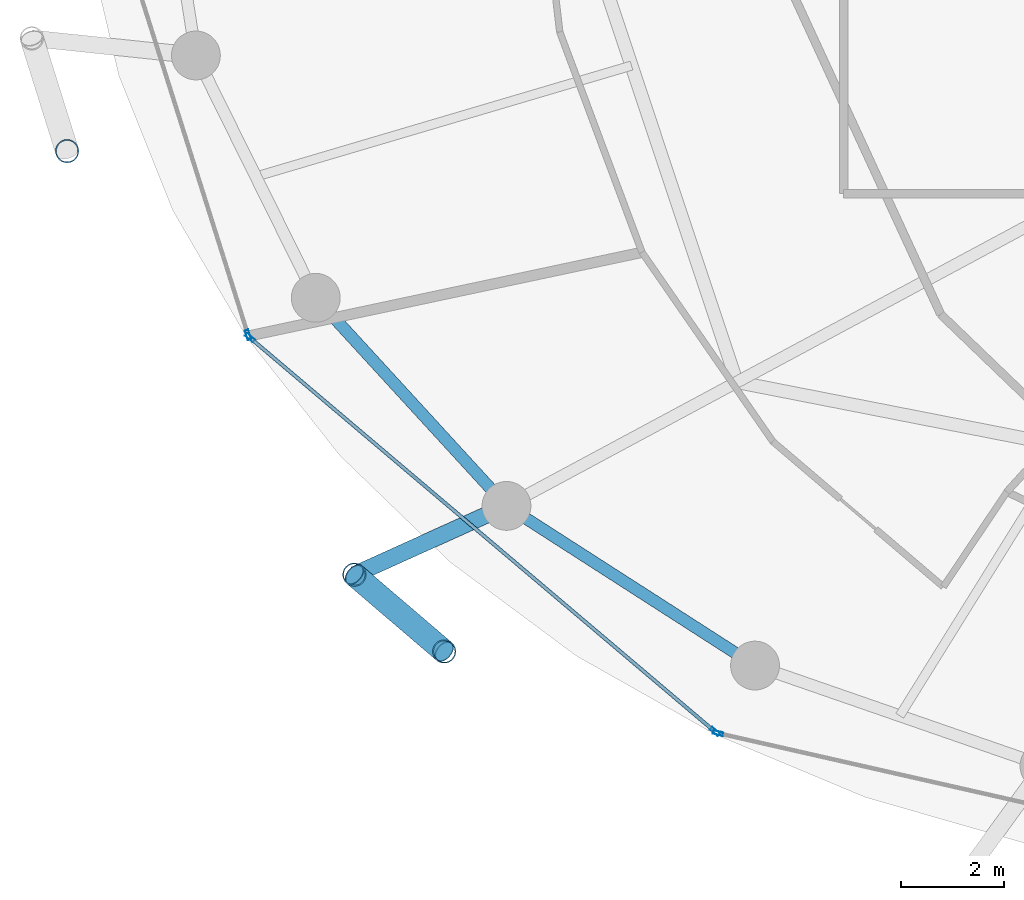
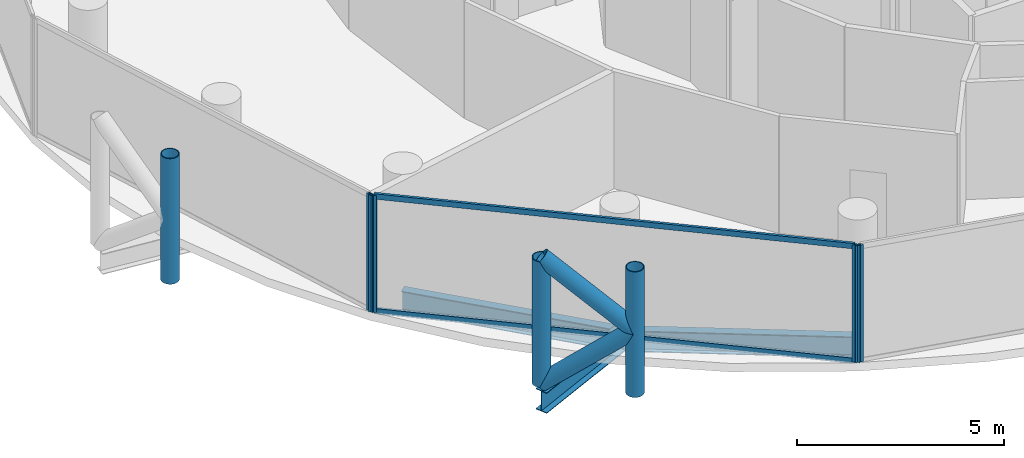
# One storey, part 2 of 26: 11 members, 3 beams, 3 elements without a shape of their own.
"""IFC4 building model written with IfcOpenShell, lengths in metres."""

from ifc_helpers import new_model, si_unit, direction, frame, origin, origin_2d, place, context, subcontext, project, spatial, hollow_rectangle, hollow_circle, i_section, extrude, material, layer, layer_set, material_profile, profile_set, type_object, element, aggregate, save


model = new_model("IFC4")

# Units and contexts
model_context = context("Model", 3, precision=1e-05, world=origin(), true_north=direction((0.0, 1.0)))
body_context = subcontext(model_context, "Body", "Model", "MODEL_VIEW")
ifc_project = project(units=[si_unit("LENGTHUNIT", "METRE"), si_unit("AREAUNIT", "SQUARE_METRE"), si_unit("VOLUMEUNIT", "CUBIC_METRE"), si_unit("PLANEANGLEUNIT", "RADIAN"), si_unit("MASSUNIT", "GRAM", prefix="KILO")], contexts=[model_context])

# Site, building, storey
site_placement = place(None, origin())
site = spatial("IfcSite", under=ifc_project, at=site_placement, CompositionType="ELEMENT")
building_placement = place(site_placement, origin())
building = spatial("IfcBuilding", under=site, at=building_placement, Name="Nuhasar Tower", CompositionType="ELEMENT")
storey_placement = place(building_placement, frame((0.0, 0.0, 184.85009765625)))
storey = spatial("IfcBuildingStorey", under=building, at=storey_placement, Name="L45", CompositionType="ELEMENT", Elevation=184.85009765625)

# Beams
ifc_material_1 = material(Name="Steel S355", Category="steel")
ifc_material_profile_1 = material_profile(ifc_material_1, i_section(OverallWidth=0.22998046875, OverallDepth=0.616943359375, WebThickness=0.01318359375, FlangeThickness=0.022216796875, at=origin_2d()), Name="W24X94")
ifc_profile_set_1 = profile_set([ifc_material_profile_1], Name="Steel S355")
beam_type_1 = type_object("IfcBeamType", Name="BM-RING-W24X94", PredefinedType="SPANDREL", material=ifc_profile_set_1)
beam_1_placement = place(storey_placement, frame((18.778076171875, 17.02490234375, -0.55908203125), z_axis=(0.675676316545, -0.737198423262, 0.0), x_axis=(0.737198423262, 0.675676316545, 0.0)))
element("IfcBeam", 1, at=beam_1_placement, inside=storey, type_object=beam_type_1, Name="L45 Perimeter Ring Spandrel 15", PredefinedType="SPANDREL", context=body_context, shape_type="SweptSolid", body=[
    extrude(i_section(OverallWidth=0.22998046875, OverallDepth=0.616943359375, WebThickness=0.01318359375, FlangeThickness=0.022216796875, at=origin_2d()), origin(), (0.0, 0.0, 1.0), 5.4921875),
])
beam_2_placement = place(storey_placement, frame((22.489013671875, 12.97607421875, -0.55908203125), z_axis=(0.841308170616, -0.540555789955, 0.0), x_axis=(0.540555789955, 0.841308170616, 0.0)))
element("IfcBeam", 2, at=beam_2_placement, inside=storey, type_object=beam_type_1, Name="L45 Perimeter Ring Spandrel 16", PredefinedType="SPANDREL", context=body_context, shape_type="SweptSolid", body=[
    extrude(i_section(OverallWidth=0.22998046875, OverallDepth=0.616943359375, WebThickness=0.01318359375, FlangeThickness=0.022216796875, at=origin_2d()), origin(), (0.0, 0.0, 1.0), 5.748046875),
])
ifc_material_profile_2 = material_profile(ifc_material_1, i_section(OverallWidth=0.323974609375, OverallDepth=0.611083984375, WebThickness=0.0126953125, FlangeThickness=0.01904296875, at=origin_2d()), Name="W24X104")
ifc_profile_set_2 = profile_set([ifc_material_profile_2], Name="Steel S355")
beam_type_2 = type_object("IfcBeamType", Name="BM-TIE-W24X104", PredefinedType="BEAM", material=ifc_profile_set_2)
beam_3_placement = place(storey_placement, frame((22.489013671875, 12.97607421875, -0.55615234375), z_axis=(-0.911211381786, -0.411939094653, 0.0), x_axis=(0.411939094653, -0.911211381786, 0.0)))
element("IfcBeam", 3, at=beam_3_placement, inside=storey, type_object=beam_type_2, Name="L45 Exoskeleton Node Tie Beam 08", PredefinedType="BEAM", context=body_context, shape_type="SweptSolid", body=[
    extrude(i_section(OverallWidth=0.323974609375, OverallDepth=0.611083984375, WebThickness=0.0126953125, FlangeThickness=0.01904296875, at=origin_2d()), origin(), (0.0, 0.0, 1.0), 3.248291015625),
])

# Curtain wall, member
ifc_material_2 = material(Name="Aluminium 6063-T6", Category="aluminium")
ifc_layer = layer(ifc_material_2, 0.199951171875)
ifc_layer_set = layer_set([ifc_layer], Name="Aluminium 6063-T6")
curtain_wall_type = type_object("IfcCurtainWallType", Name="CW-Z2-HTL", PredefinedType="NOTDEFINED", material=ifc_layer_set)
curtain_wall_1_placement = place(storey_placement, origin())
curtain_wall_1 = element("IfcCurtainWall", 4, at=curtain_wall_1_placement, inside=storey, type_object=curtain_wall_type, Name="L45 Unitised Curtain Wall 07", PredefinedType="NOTDEFINED")
ifc_material_profile_3 = material_profile(ifc_material_2, hollow_rectangle(XDim=0.070068359375, YDim=0.199951171875, WallThickness=0.0048828125, at=origin_2d()), Name="CWM-3")
ifc_profile_set_3 = profile_set([ifc_material_profile_3], Name="Aluminium 6063-T6")
member_type_1 = type_object("IfcMemberType", Name="CW-MUL-S3", PredefinedType="MULLION", material=ifc_profile_set_3)
member_1_placement = place(storey_placement, frame((17.46044921875, 16.303466796875, 0.0), z_axis=(0.0, 0.0, 1.0), x_axis=(0.953433389233, 0.301603667577, 0.0)))
member_1 = element("IfcMember", 5, at=member_1_placement, type_object=member_type_1, Name="CW-Z2 mullion 2", PredefinedType="MULLION", context=body_context, shape_type="SweptSolid", body=[
    extrude(hollow_rectangle(XDim=0.070068359375, YDim=0.199951171875, WallThickness=0.0048828125, at=origin_2d()), origin(), (0.0, 0.0, 1.0), 3.449951171875),
])
aggregate(curtain_wall_1, [member_1])

# Curtain wall, members
curtain_wall_2_placement = place(storey_placement, origin())
curtain_wall_2 = element("IfcCurtainWall", 6, at=curtain_wall_2_placement, inside=storey, type_object=curtain_wall_type, Name="L45 Unitised Curtain Wall 08", PredefinedType="NOTDEFINED")
member_2_placement = place(storey_placement, frame((17.497802734375, 16.247314453125, 0.0), z_axis=(0.0, 0.0, 1.0), x_axis=(0.646374438324, 0.763020370292, 0.0)))
member_2 = element("IfcMember", 7, at=member_2_placement, type_object=member_type_1, Name="CW-Z2 mullion 1", PredefinedType="MULLION", context=body_context, shape_type="SweptSolid", body=[
    extrude(hollow_rectangle(XDim=0.070068359375, YDim=0.199951171875, WallThickness=0.0048828125, at=origin_2d()), origin(), (0.0, 0.0, 1.0), 3.449951171875),
])
member_3_placement = place(storey_placement, frame((26.543212890625, 8.584716796875, 0.0), z_axis=(0.0, 0.0, 1.0), x_axis=(0.646374438324, 0.763020370292, 0.0)))
member_3 = element("IfcMember", 8, at=member_3_placement, type_object=member_type_1, Name="CW-Z2 mullion 2", PredefinedType="MULLION", context=body_context, shape_type="SweptSolid", body=[
    extrude(hollow_rectangle(XDim=0.070068359375, YDim=0.199951171875, WallThickness=0.0048828125, at=origin_2d()), origin(), (0.0, 0.0, 1.0), 3.449951171875),
])

# Curtain wall, member
curtain_wall_3_placement = place(storey_placement, origin())
curtain_wall_3 = element("IfcCurtainWall", 9, at=curtain_wall_3_placement, inside=storey, type_object=curtain_wall_type, Name="L45 Unitised Curtain Wall 09", PredefinedType="NOTDEFINED")
member_4_placement = place(storey_placement, frame((26.604248046875, 8.55419921875, 0.0), z_axis=(0.0, 0.0, 1.0), x_axis=(0.22139729566, 0.975183694221, 0.0)))
member_4 = element("IfcMember", 10, at=member_4_placement, type_object=member_type_1, Name="CW-Z2 mullion 1", PredefinedType="MULLION", context=body_context, shape_type="SweptSolid", body=[
    extrude(hollow_rectangle(XDim=0.070068359375, YDim=0.199951171875, WallThickness=0.0048828125, at=origin_2d()), origin(), (0.0, 0.0, 1.0), 3.449951171875),
])
aggregate(curtain_wall_3, [member_4])

# Member
ifc_material_profile_4 = material_profile(ifc_material_2, hollow_rectangle(XDim=0.070068359375, YDim=0.159912109375, WallThickness=0.00439453125, at=origin_2d()), Name="CWT-3")
ifc_profile_set_4 = profile_set([ifc_material_profile_4], Name="Aluminium 6063-T6")
member_type_2 = type_object("IfcMemberType", Name="CW-TRN-S3", PredefinedType="USERDEFINED", material=ifc_profile_set_4)
member_5_placement = place(storey_placement, frame((17.5244140625, 16.224853515625, 0.034912109375), z_axis=(0.763013698099, -0.646382314511, 0.0), x_axis=(0.646382314511, 0.763013698099, 0.0)))
member_5 = element("IfcMember", 11, at=member_5_placement, type_object=member_type_2, Name="CW-Z2 transom 1.1", ObjectType="TRANSOM", PredefinedType="USERDEFINED", context=body_context, shape_type="SweptSolid", body=[
    extrude(hollow_rectangle(XDim=0.070068359375, YDim=0.159912109375, WallThickness=0.00439453125, at=origin_2d()), origin(), (0.0, 0.0, 1.0), 11.78515625),
])

member_6_placement = place(storey_placement, frame((17.5244140625, 16.224853515625, 3.414794921875), z_axis=(0.763013698099, -0.646382314511, 0.0), x_axis=(0.646382314511, 0.763013698099, 0.0)))
member_6 = element("IfcMember", 12, at=member_6_placement, type_object=member_type_2, Name="CW-Z2 transom 1.2", ObjectType="TRANSOM", PredefinedType="USERDEFINED", context=body_context, shape_type="SweptSolid", body=[
    extrude(hollow_rectangle(XDim=0.070068359375, YDim=0.159912109375, WallThickness=0.00439453125, at=origin_2d()), origin(), (0.0, 0.0, 1.0), 11.78515625),
])

aggregate(curtain_wall_2, [member_2, member_3, member_5, member_6])

# Members
ifc_material_3 = material(Name="Steel S460", Category="steel")
ifc_material_profile_5 = material_profile(ifc_material_3, hollow_circle(Radius=0.228515625, WallThickness=0.022216796875, at=origin_2d()), Name="HSS457X22.2")
ifc_profile_set_5 = profile_set([ifc_material_profile_5], Name="Steel S460")
member_type_3 = type_object("IfcMemberType", Name="EXO-BRONZE-457", PredefinedType="BRACE", material=ifc_profile_set_5)
for number, where, z_axis, x_axis, name in (
    (13, (13.93994140625, 19.87890625, 0.0), (0.0, 0.0, 1.0), (1.0, 0.0, 0.0), "L45 Exoskeleton Chord Column EC-07B"),
    (14, (19.529052734375, 11.637939453125, 0.0), (0.0, 0.0, 1.0), (1.0, 0.0, 0.0), "L45 Exoskeleton Chord Column EC-08A"),
    (15, (21.277099609375, 10.14306640625, 0.0), (0.0, 0.0, 1.0), (1.0, 0.0, 0.0), "L45 Exoskeleton Chord Column EC-08B"),
):
    element("IfcMember", number, at=place(storey_placement, frame(where, z_axis=z_axis, x_axis=x_axis)), inside=storey, type_object=member_type_3, Name=name, PredefinedType="BRACE", context=body_context, shape_type="SweptSolid", body=[
        extrude(hollow_circle(Radius=0.228515625, WallThickness=0.022216796875, at=origin_2d()), origin(), (0.0, 0.0, 1.0), 3.699951171875),
    ])
member_7_placement = place(storey_placement, frame((19.529052734375, 11.637939453125, 0.0), z_axis=(0.592225874743, -0.506452378638, 0.626717242029), x_axis=(0.649925557156, 0.7599978751, 0.0)))
element("IfcMember", 16, at=member_7_placement, inside=storey, type_object=member_type_3, Name="L45 Bronze Diagrid Brace W1-08", PredefinedType="BRACE", context=body_context, shape_type="SweptSolid", body=[
    extrude(hollow_circle(Radius=0.228515625, WallThickness=0.022216796875, at=origin_2d()), origin(), (0.0, 0.0, 1.0), 2.95166015625),
])
member_8_placement = place(storey_placement, frame((21.277099609375, 10.14306640625, 1.849853515625), z_axis=(-0.592195175458, 0.506426125604, 0.626767463634), x_axis=(-0.649925557156, -0.7599978751, 0.0)))
element("IfcMember", 17, at=member_8_placement, inside=storey, type_object=member_type_3, Name="L45 Bronze Diagrid Brace W2-08", PredefinedType="BRACE", context=body_context, shape_type="SweptSolid", body=[
    extrude(hollow_circle(Radius=0.228515625, WallThickness=0.022216796875, at=origin_2d()), origin(), (0.0, 0.0, 1.0), 2.951904296875),
])

save(model, "model.ifc")
